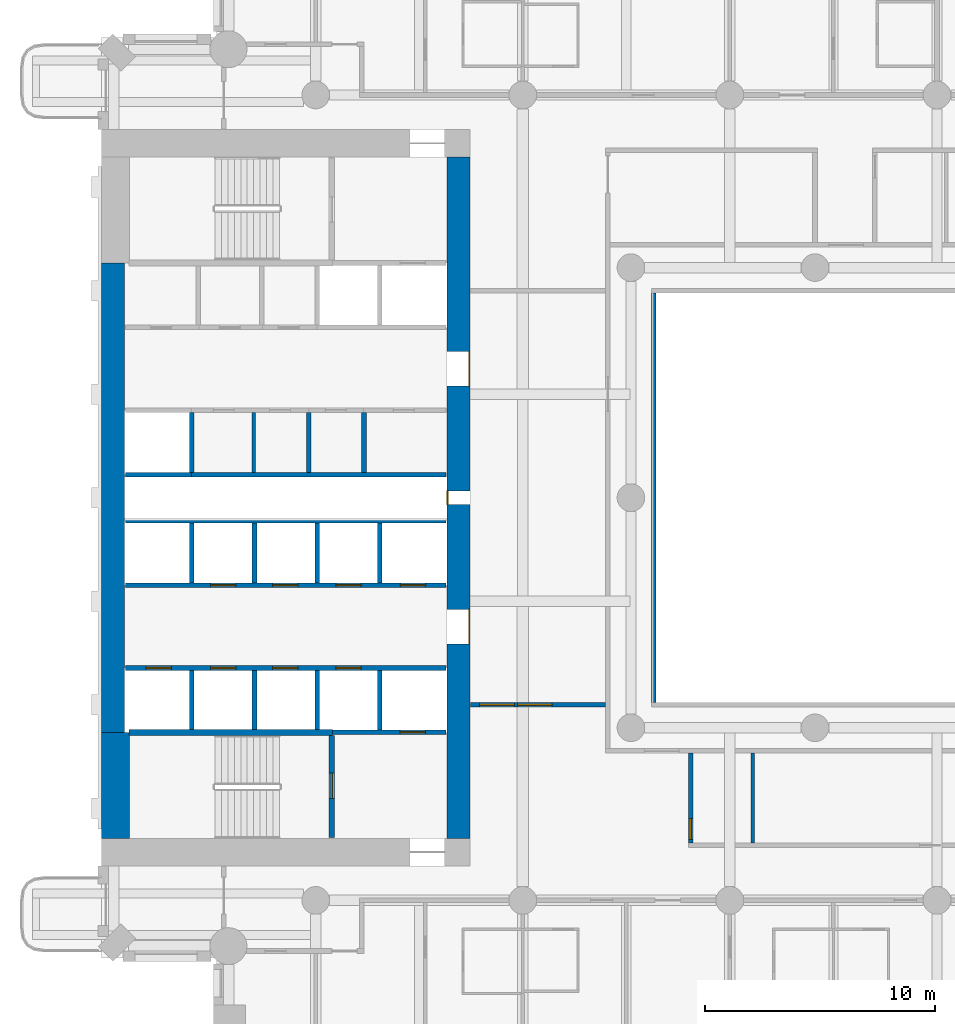
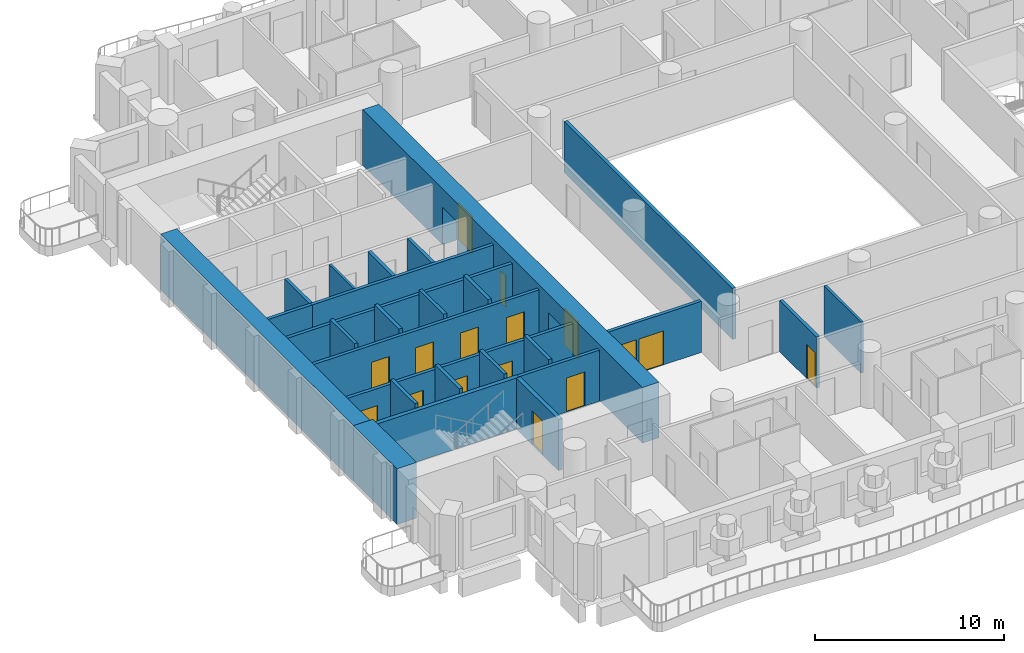
# One storey, part 4 of 20: 27 walls, 16 doors, 16 openings.
"""IFC4 building model written with IfcOpenShell, lengths in metres."""

from ifc_helpers import new_model, si_unit, direction, frame, frame_2d, origin, place, context, subcontext, project, spatial, rectangle, extrude, material, layer, layer_set, type_object, element, fill, save


model = new_model("IFC4")

# Units and contexts
model_context = context("Model", 3, precision=1e-05, world=origin(), true_north=direction((0.0, 1.0)))
body_context = subcontext(model_context, "Body", "Model", "MODEL_VIEW")
ifc_project = project(units=[si_unit("LENGTHUNIT", "METRE"), si_unit("AREAUNIT", "SQUARE_METRE"), si_unit("VOLUMEUNIT", "CUBIC_METRE"), si_unit("PLANEANGLEUNIT", "RADIAN"), si_unit("MASSUNIT", "GRAM", prefix="KILO")], contexts=[model_context])

# Site, building, storey
site_placement = place(None, origin())
site = spatial("IfcSite", under=ifc_project, at=site_placement, CompositionType="ELEMENT")
building_placement = place(site_placement, origin())
building = spatial("IfcBuilding", under=site, at=building_placement, Name="Cypress Arch Tower", CompositionType="ELEMENT")
storey_placement = place(building_placement, frame((0.0, 0.0, 80.699951171875)))
storey = spatial("IfcBuildingStorey", under=building, at=storey_placement, Name="L14", CompositionType="ELEMENT", Elevation=80.699951171875)

# Wall, openings, doors
ifc_material_1 = material(Name="Concrete C80/95", Category="concrete")
ifc_layer_1 = layer(ifc_material_1, 1.0)
ifc_layer_set_1 = layer_set([ifc_layer_1], Name="Core wall CW1000 C80/95")
wall_type_1 = type_object("IfcWallType", Name="Core wall CW1000 C80/95", PredefinedType="SHEAR", material=ifc_layer_set_1)
wall_1_placement = place(storey_placement, frame((-14.5, -14.800048828125, 0.0), z_axis=(0.0, 0.0, 1.0), x_axis=(0.0, 1.0, 0.0)))
wall_1 = element("IfcWall", 1, at=wall_1_placement, inside=storey, type_object=wall_type_1, Name="Core wall", PredefinedType="SHEAR", context=body_context, shape_type="SweptSolid", body=[
    extrude(rectangle(XDim=29.60009765625, YDim=1.0, at=frame_2d((14.800048828125, 0.0))), origin(), (0.0, 0.0, 1.0), 3.60009765625),
])
opening_1_placement = place(wall_1_placement, frame((8.449951171875, 0.0, 0.0)))
opening_1 = element("IfcOpeningElement", 2, at=opening_1_placement, cuts=wall_1, Name="Opening D07", PredefinedType="OPENING", context=body_context, shape_type="SweptSolid", body=[
    extrude(rectangle(XDim=1.5, YDim=2.39990234375, at=frame_2d((0.75, 1.199951171875))), frame((0.0, 0.510009765625, 0.0), z_axis=(0.0, -1.0, 0.0), x_axis=(1.0, 0.0, 0.0)), (0.0, 0.0, 1.0), 1.02001953125),
])
opening_2_placement = place(wall_1_placement, frame((19.64990234375, 0.0, 0.0)))
opening_2 = element("IfcOpeningElement", 3, at=opening_2_placement, cuts=wall_1, Name="Opening D07", PredefinedType="OPENING", context=body_context, shape_type="SweptSolid", body=[
    extrude(rectangle(XDim=1.5, YDim=2.39990234375, at=frame_2d((0.75, 1.199951171875))), frame((0.0, 0.510009765625, 0.0), z_axis=(0.0, -1.0, 0.0), x_axis=(1.0, 0.0, 0.0)), (0.0, 0.0, 1.0), 1.02001953125),
])
opening_3_placement = place(wall_1_placement, frame((14.5, 0.0, 0.0)))
opening_3 = element("IfcOpeningElement", 4, at=opening_3_placement, cuts=wall_1, Name="Opening D08", PredefinedType="OPENING", context=body_context, shape_type="SweptSolid", body=[
    extrude(rectangle(XDim=0.60009765625, YDim=2.0, at=frame_2d((0.300048828125, 1.0))), frame((0.0, 0.510009765625, 0.0), z_axis=(0.0, -1.0, 0.0), x_axis=(1.0, 0.0, 0.0)), (0.0, 0.0, 1.0), 1.02001953125),
])
ifc_material_2 = material(Name="Steel framed glazed door, fire resisting", Category="steel")
door_type_1 = type_object("IfcDoorType", Name="Lobby door D07 1500x2400", OperationType="DOUBLE_DOOR_SINGLE_SWING", PredefinedType="DOOR", material=ifc_material_2)
door_1_placement = place(opening_1_placement, origin())
door_1 = element("IfcDoor", 5, at=door_1_placement, inside=storey, type_object=door_type_1, Name="Lobby door", OperationType="DOUBLE_DOOR_SINGLE_SWING", OverallHeight=2.39990234375, OverallWidth=1.5, PredefinedType="DOOR", context=body_context, shape_type="SweptSolid", body=[
    extrude(rectangle(XDim=1.5, YDim=2.39990234375, at=frame_2d((0.75, 1.199951171875))), frame((0.0, -0.44482421875, 0.0), z_axis=(0.0, -1.0, 0.0), x_axis=(1.0, 0.0, 0.0)), (0.0, 0.0, 1.0), 0.050048828125),
])
fill(opening_1, door_1)
door_2_placement = place(opening_2_placement, origin())
door_2 = element("IfcDoor", 6, at=door_2_placement, inside=storey, type_object=door_type_1, Name="Lobby door", OperationType="DOUBLE_DOOR_SINGLE_SWING", OverallHeight=2.39990234375, OverallWidth=1.5, PredefinedType="DOOR", context=body_context, shape_type="SweptSolid", body=[
    extrude(rectangle(XDim=1.5, YDim=2.39990234375, at=frame_2d((0.75, 1.199951171875))), frame((0.0, -0.44482421875, 0.0), z_axis=(0.0, -1.0, 0.0), x_axis=(1.0, 0.0, 0.0)), (0.0, 0.0, 1.0), 0.050048828125),
])
fill(opening_2, door_2)
ifc_material_3 = material(Name="Steel access door, fire resisting", Category="steel")
door_type_2 = type_object("IfcDoorType", Name="Riser access door D08 600x2000", OperationType="SINGLE_SWING_LEFT", PredefinedType="DOOR", material=ifc_material_3)
door_3_placement = place(opening_3_placement, origin())
door_3 = element("IfcDoor", 7, at=door_3_placement, inside=storey, type_object=door_type_2, Name="Riser access door", OperationType="SINGLE_SWING_RIGHT", OverallHeight=2.0, OverallWidth=0.60009765625, PredefinedType="DOOR", context=body_context, shape_type="SweptSolid", body=[
    extrude(rectangle(XDim=0.60009765625, YDim=2.0, at=frame_2d((0.300048828125, 1.0))), frame((0.0, 0.4951171875, 0.0), z_axis=(0.0, -1.0, 0.0), x_axis=(1.0, 0.0, 0.0)), (0.0, 0.0, 1.0), 0.050048828125),
])
fill(opening_3, door_3)

# Walls
wall_2_placement = place(storey_placement, frame((-29.5, -10.199951171875, 0.0), z_axis=(0.0, 0.0, 1.0), x_axis=(0.0, 1.0, 0.0)))
element("IfcWall", 8, at=wall_2_placement, inside=storey, type_object=wall_type_1, Name="Core wall", PredefinedType="SHEAR", context=body_context, shape_type="SweptSolid", body=[
    extrude(rectangle(XDim=20.39990234375, YDim=1.0, at=frame_2d((10.199951171875, 0.0))), origin(), (0.0, 0.0, 1.0), 3.60009765625),
])
ifc_material_4 = material(Name="Concrete C80/95", Category="concrete")
ifc_layer_2 = layer(ifc_material_4, 1.199951171875)
ifc_layer_set_2 = layer_set([ifc_layer_2], Name="Core wall CW1200 C80/95")
wall_type_2 = type_object("IfcWallType", Name="Core wall CW1200 C80/95", PredefinedType="SHEAR", material=ifc_layer_set_2)
wall_3_placement = place(storey_placement, frame((-29.39990234375, -14.800048828125, 0.0), z_axis=(0.0, 0.0, 1.0), x_axis=(0.0, 1.0, 0.0)))
element("IfcWall", 9, at=wall_3_placement, inside=storey, type_object=wall_type_2, Name="Core wall", PredefinedType="SHEAR", context=body_context, shape_type="SweptSolid", body=[
    extrude(rectangle(XDim=4.60009765625, YDim=1.199951171875, at=frame_2d((2.300048828125, 0.0))), origin(), (0.0, 0.0, 1.0), 3.60009765625),
])

# Wall, openings, doors
ifc_material_5 = material(Name="Concrete blockwork, plastered, rated", Category="masonry")
ifc_layer_3 = layer(ifc_material_5, 0.199951171875)
ifc_layer_set_3 = layer_set([ifc_layer_3], Name="Corridor wall FW200")
wall_type_3 = type_object("IfcWallType", Name="Corridor wall FW200", PredefinedType="PARTITIONING", material=ifc_layer_set_3)
wall_4_placement = place(storey_placement, frame((-13.969970703125, -9.0, 0.0), z_axis=(0.0, 0.0, 1.0), x_axis=(1.0, 0.0, 0.0)))
wall_4 = element("IfcWall", 10, at=wall_4_placement, inside=storey, type_object=wall_type_3, Name="Corridor wall", PredefinedType="PARTITIONING", context=body_context, shape_type="SweptSolid", body=[
    extrude(rectangle(XDim=5.869873046875, YDim=0.199951171875, at=frame_2d((2.93505859375, 0.0))), origin(), (0.0, 0.0, 1.0), 3.300048828125),
])
opening_4_placement = place(wall_4_placement, frame((0.39990234375, 0.0, 0.0)))
opening_4 = element("IfcOpeningElement", 11, at=opening_4_placement, cuts=wall_4, Name="Opening D04", PredefinedType="OPENING", context=body_context, shape_type="SweptSolid", body=[
    extrude(rectangle(XDim=1.5, YDim=2.199951171875, at=frame_2d((0.75, 1.10009765625))), frame((0.0, 0.10986328125, 0.0), z_axis=(0.0, -1.0, 0.0), x_axis=(1.0, 0.0, 0.0)), (0.0, 0.0, 1.0), 0.219970703125),
])
opening_5_placement = place(wall_4_placement, frame((2.050048828125, 0.0, 0.0)))
opening_5 = element("IfcOpeningElement", 12, at=opening_5_placement, cuts=wall_4, Name="Opening D04", PredefinedType="OPENING", context=body_context, shape_type="SweptSolid", body=[
    extrude(rectangle(XDim=1.5, YDim=2.199951171875, at=frame_2d((0.75, 1.10009765625))), frame((0.0, 0.10986328125, 0.0), z_axis=(0.0, -1.0, 0.0), x_axis=(1.0, 0.0, 0.0)), (0.0, 0.0, 1.0), 0.219970703125),
])
ifc_material_6 = material(Name="Timber double door", Category="wood")
door_type_3 = type_object("IfcDoorType", Name="Double door D04 1500x2200", OperationType="DOUBLE_DOOR_SINGLE_SWING", PredefinedType="DOOR", material=ifc_material_6)
door_4_placement = place(opening_4_placement, origin())
door_4 = element("IfcDoor", 13, at=door_4_placement, inside=storey, type_object=door_type_3, Name="Double door", OperationType="DOUBLE_DOOR_SINGLE_SWING", OverallHeight=2.199951171875, OverallWidth=1.5, PredefinedType="DOOR", context=body_context, shape_type="SweptSolid", body=[
    extrude(rectangle(XDim=1.5, YDim=2.199951171875, at=frame_2d((0.75, 1.10009765625))), frame((0.0, 0.02490234375, 0.0), z_axis=(0.0, -1.0, 0.0), x_axis=(1.0, 0.0, 0.0)), (0.0, 0.0, 1.0), 0.050048828125),
])
fill(opening_4, door_4)
door_5_placement = place(opening_5_placement, origin())
door_5 = element("IfcDoor", 14, at=door_5_placement, inside=storey, type_object=door_type_3, Name="Double door", OperationType="DOUBLE_DOOR_SINGLE_SWING", OverallHeight=2.199951171875, OverallWidth=1.5, PredefinedType="DOOR", context=body_context, shape_type="SweptSolid", body=[
    extrude(rectangle(XDim=1.5, YDim=2.199951171875, at=frame_2d((0.75, 1.10009765625))), frame((0.0, 0.02490234375, 0.0), z_axis=(0.0, -1.0, 0.0), x_axis=(1.0, 0.0, 0.0)), (0.0, 0.0, 1.0), 0.050048828125),
])
fill(opening_5, door_5)

# Wall
wall_5_placement = place(storey_placement, frame((-6.0, -8.89990234375, 0.0), z_axis=(0.0, 0.0, 1.0), x_axis=(0.0, 1.0, 0.0)))
element("IfcWall", 15, at=wall_5_placement, inside=storey, type_object=wall_type_3, Name="Corridor wall", PredefinedType="PARTITIONING", context=body_context, shape_type="SweptSolid", body=[
    extrude(rectangle(XDim=17.7998046875, YDim=0.199951171875, at=frame_2d((8.89990234375, 0.0))), origin(), (0.0, 0.0, 1.0), 3.300048828125),
])

# Wall, opening, door
wall_6_placement = place(storey_placement, frame((-4.39990234375, -15.0, 0.0), z_axis=(0.0, 0.0, 1.0), x_axis=(0.0, 1.0, 0.0)))
wall_6 = element("IfcWall", 16, at=wall_6_placement, inside=storey, type_object=wall_type_3, Name="Corridor wall", PredefinedType="PARTITIONING", context=body_context, shape_type="SweptSolid", body=[
    extrude(rectangle(XDim=3.89990234375, YDim=0.199951171875, at=frame_2d((1.949951171875, 0.0))), origin(), (0.0, 0.0, 1.0), 3.300048828125),
])
opening_6_placement = place(wall_6_placement, frame((0.14990234375, 0.0, 0.0)))
opening_6 = element("IfcOpeningElement", 17, at=opening_6_placement, cuts=wall_6, Name="Opening D05", PredefinedType="OPENING", context=body_context, shape_type="SweptSolid", body=[
    extrude(rectangle(XDim=0.89990234375, YDim=2.199951171875, at=frame_2d((0.449951171875, 1.10009765625))), frame((0.0, 0.10986328125, 0.0), z_axis=(0.0, -1.0, 0.0), x_axis=(1.0, 0.0, 0.0)), (0.0, 0.0, 1.0), 0.219970703125),
])
ifc_material_7 = material(Name="Timber flush door", Category="wood")
door_type_4 = type_object("IfcDoorType", Name="Service door D05 900x2200", OperationType="SINGLE_SWING_LEFT", PredefinedType="DOOR", material=ifc_material_7)
door_6_placement = place(opening_6_placement, origin())
door_6 = element("IfcDoor", 18, at=door_6_placement, inside=storey, type_object=door_type_4, Name="Service door", OperationType="SINGLE_SWING_RIGHT", OverallHeight=2.199951171875, OverallWidth=0.89990234375, PredefinedType="DOOR", context=body_context, shape_type="SweptSolid", body=[
    extrude(rectangle(XDim=0.89990234375, YDim=2.199951171875, at=frame_2d((0.449951171875, 1.10009765625))), frame((0.0, 0.02490234375, 0.0), z_axis=(0.0, -1.0, 0.0), x_axis=(1.0, 0.0, 0.0)), (0.0, 0.0, 1.0), 0.050048828125),
])
fill(opening_6, door_6)

# Walls
ifc_material_8 = material(Name="Blockwork, plastered both sides", Category="masonry")
ifc_layer_4 = layer(ifc_material_8, 0.14990234375)
ifc_layer_set_4 = layer_set([ifc_layer_4], Name="Partition PW150")
wall_type_4 = type_object("IfcWallType", Name="Partition PW150", PredefinedType="PARTITIONING", material=ifc_layer_set_4)
wall_7_placement = place(storey_placement, frame((-23.39990234375, 1.10009765625, 0.0), z_axis=(0.0, 0.0, 1.0), x_axis=(0.0, 1.0, 0.0)))
element("IfcWall", 19, at=wall_7_placement, inside=storey, type_object=wall_type_4, Name="Partition", PredefinedType="PARTITIONING", context=body_context, shape_type="SweptSolid", body=[
    extrude(rectangle(XDim=2.599853515625, YDim=0.14990234375, at=frame_2d((1.2998046875, 0.0))), origin(), (0.0, 0.0, 1.0), 3.300048828125),
])
wall_8_placement = place(storey_placement, frame((-1.699951171875, -15.0, 0.0), z_axis=(0.0, 0.0, 1.0), x_axis=(0.0, 1.0, 0.0)))
element("IfcWall", 20, at=wall_8_placement, inside=storey, type_object=wall_type_4, Name="Partition", PredefinedType="PARTITIONING", context=body_context, shape_type="SweptSolid", body=[
    extrude(rectangle(XDim=3.89990234375, YDim=0.14990234375, at=frame_2d((1.949951171875, 0.0))), origin(), (0.0, 0.0, 1.0), 3.300048828125),
])
ifc_material_9 = material(Name="Reinforced blockwork, plastered, rated", Category="masonry")
ifc_layer_5 = layer(ifc_material_9, 0.199951171875)
ifc_layer_set_5 = layer_set([ifc_layer_5], Name="Plant and riser wall PL200")
wall_type_5 = type_object("IfcWallType", Name="Plant and riser wall PL200", PredefinedType="PARTITIONING", material=ifc_layer_set_5)
wall_9_placement = place(storey_placement, frame((-26.10009765625, 1.0, 0.0), z_axis=(0.0, 0.0, 1.0), x_axis=(1.0, 0.0, 0.0)))
element("IfcWall", 21, at=wall_9_placement, inside=storey, type_object=wall_type_5, Name="Plant and riser wall", PredefinedType="PARTITIONING", context=body_context, shape_type="SweptSolid", body=[
    extrude(rectangle(XDim=11.070068359375, YDim=0.199951171875, at=frame_2d((5.53515625, 0.0))), origin(), (0.0, 0.0, 1.0), 3.300048828125),
])
for number, where, z_axis, x_axis, name in (
    (22, (-21.0, 1.10009765625, 0.0), (0.0, 0.0, 1.0), (0.0, 1.0, 0.0), "Plant and riser wall"),
    (23, (-18.60009765625, 1.10009765625, 0.0), (0.0, 0.0, 1.0), (0.0, 1.0, 0.0), "Plant and riser wall"),
):
    element("IfcWall", number, at=place(storey_placement, frame(where, z_axis=z_axis, x_axis=x_axis)), inside=storey, type_object=wall_type_5, Name=name, PredefinedType="PARTITIONING", context=body_context, shape_type="SweptSolid", body=[
        extrude(rectangle(XDim=2.599853515625, YDim=0.199951171875, at=frame_2d((1.2998046875, 0.0))), origin(), (0.0, 0.0, 1.0), 3.300048828125),
    ])

# Wall, openings, doors
ifc_material_10 = material(Name="Concrete C50/60", Category="concrete")
ifc_layer_6 = layer(ifc_material_10, 0.199951171875)
ifc_layer_set_6 = layer_set([ifc_layer_6], Name="Shaft wall SH200")
wall_type_6 = type_object("IfcWallType", Name="Shaft wall SH200", PredefinedType="SHEAR", material=ifc_layer_set_6)
wall_10_placement = place(storey_placement, frame((-28.969970703125, -7.39990234375, 0.0), z_axis=(0.0, 0.0, 1.0), x_axis=(1.0, 0.0, 0.0)))
wall_10 = element("IfcWall", 24, at=wall_10_placement, inside=storey, type_object=wall_type_6, Name="Shaft wall", PredefinedType="SHEAR", context=body_context, shape_type="SweptSolid", body=[
    extrude(rectangle(XDim=13.93994140625, YDim=0.199951171875, at=frame_2d((6.969970703125, 0.0))), origin(), (0.0, 0.0, 1.0), 3.300048828125),
])
opening_7_placement = place(wall_10_placement, frame((0.89990234375, 0.0, 0.0)))
opening_7 = element("IfcOpeningElement", 25, at=opening_7_placement, cuts=wall_10, Name="Opening LD-LR1", PredefinedType="OPENING", context=body_context, shape_type="SweptSolid", body=[
    extrude(rectangle(XDim=1.10009765625, YDim=2.199951171875, at=frame_2d((0.550048828125, 1.10009765625))), frame((0.0, 0.10986328125, 0.0), z_axis=(0.0, -1.0, 0.0), x_axis=(1.0, 0.0, 0.0)), (0.0, 0.0, 1.0), 0.219970703125),
])
opening_8_placement = place(wall_10_placement, frame((3.699951171875, 0.0, 0.0)))
opening_8 = element("IfcOpeningElement", 26, at=opening_8_placement, cuts=wall_10, Name="Opening LD-LR2", PredefinedType="OPENING", context=body_context, shape_type="SweptSolid", body=[
    extrude(rectangle(XDim=1.10009765625, YDim=2.199951171875, at=frame_2d((0.550048828125, 1.10009765625))), frame((0.0, 0.10986328125, 0.0), z_axis=(0.0, -1.0, 0.0), x_axis=(1.0, 0.0, 0.0)), (0.0, 0.0, 1.0), 0.219970703125),
])
opening_9_placement = place(wall_10_placement, frame((6.39990234375, 0.0, 0.0)))
opening_9 = element("IfcOpeningElement", 27, at=opening_9_placement, cuts=wall_10, Name="Opening LD-LR3", PredefinedType="OPENING", context=body_context, shape_type="SweptSolid", body=[
    extrude(rectangle(XDim=1.10009765625, YDim=2.199951171875, at=frame_2d((0.550048828125, 1.10009765625))), frame((0.0, 0.10986328125, 0.0), z_axis=(0.0, -1.0, 0.0), x_axis=(1.0, 0.0, 0.0)), (0.0, 0.0, 1.0), 0.219970703125),
])
opening_10_placement = place(wall_10_placement, frame((9.14990234375, 0.0, 0.0)))
opening_10 = element("IfcOpeningElement", 28, at=opening_10_placement, cuts=wall_10, Name="Opening LD-LR4", PredefinedType="OPENING", context=body_context, shape_type="SweptSolid", body=[
    extrude(rectangle(XDim=1.10009765625, YDim=2.199951171875, at=frame_2d((0.550048828125, 1.10009765625))), frame((0.0, 0.10986328125, 0.0), z_axis=(0.0, -1.0, 0.0), x_axis=(1.0, 0.0, 0.0)), (0.0, 0.0, 1.0), 0.219970703125),
])
ifc_material_11 = material(Name="Stainless steel centre-opening landing door, rated", Category="steel")
door_type_5 = type_object("IfcDoorType", Name="Lift landing door LD 1100x2200", OperationType="DOUBLE_DOOR_SLIDING", PredefinedType="DOOR", material=ifc_material_11)
door_7_placement = place(opening_7_placement, origin())
door_7 = element("IfcDoor", 29, at=door_7_placement, inside=storey, type_object=door_type_5, Name="Lift landing doors LR1", OperationType="DOUBLE_DOOR_SLIDING", OverallHeight=2.199951171875, OverallWidth=1.10009765625, PredefinedType="DOOR", context=body_context, shape_type="SweptSolid", body=[
    extrude(rectangle(XDim=1.10009765625, YDim=2.199951171875, at=frame_2d((0.550048828125, 1.10009765625))), frame((0.0, 0.02490234375, 0.0), z_axis=(0.0, -1.0, 0.0), x_axis=(1.0, 0.0, 0.0)), (0.0, 0.0, 1.0), 0.050048828125),
])
fill(opening_7, door_7)
door_8_placement = place(opening_8_placement, origin())
door_8 = element("IfcDoor", 30, at=door_8_placement, inside=storey, type_object=door_type_5, Name="Lift landing doors LR2", OperationType="DOUBLE_DOOR_SLIDING", OverallHeight=2.199951171875, OverallWidth=1.10009765625, PredefinedType="DOOR", context=body_context, shape_type="SweptSolid", body=[
    extrude(rectangle(XDim=1.10009765625, YDim=2.199951171875, at=frame_2d((0.550048828125, 1.10009765625))), frame((0.0, 0.02490234375, 0.0), z_axis=(0.0, -1.0, 0.0), x_axis=(1.0, 0.0, 0.0)), (0.0, 0.0, 1.0), 0.050048828125),
])
fill(opening_8, door_8)
door_9_placement = place(opening_9_placement, origin())
door_9 = element("IfcDoor", 31, at=door_9_placement, inside=storey, type_object=door_type_5, Name="Lift landing doors LR3", OperationType="DOUBLE_DOOR_SLIDING", OverallHeight=2.199951171875, OverallWidth=1.10009765625, PredefinedType="DOOR", context=body_context, shape_type="SweptSolid", body=[
    extrude(rectangle(XDim=1.10009765625, YDim=2.199951171875, at=frame_2d((0.550048828125, 1.10009765625))), frame((0.0, 0.02490234375, 0.0), z_axis=(0.0, -1.0, 0.0), x_axis=(1.0, 0.0, 0.0)), (0.0, 0.0, 1.0), 0.050048828125),
])
fill(opening_9, door_9)
door_10_placement = place(opening_10_placement, origin())
door_10 = element("IfcDoor", 32, at=door_10_placement, inside=storey, type_object=door_type_5, Name="Lift landing doors LR4", OperationType="DOUBLE_DOOR_SLIDING", OverallHeight=2.199951171875, OverallWidth=1.10009765625, PredefinedType="DOOR", context=body_context, shape_type="SweptSolid", body=[
    extrude(rectangle(XDim=1.10009765625, YDim=2.199951171875, at=frame_2d((0.550048828125, 1.10009765625))), frame((0.0, 0.02490234375, 0.0), z_axis=(0.0, -1.0, 0.0), x_axis=(1.0, 0.0, 0.0)), (0.0, 0.0, 1.0), 0.050048828125),
])
fill(opening_10, door_10)

wall_11_placement = place(storey_placement, frame((-28.969970703125, -3.800048828125, 0.0), z_axis=(0.0, 0.0, 1.0), x_axis=(1.0, 0.0, 0.0)))
wall_11 = element("IfcWall", 33, at=wall_11_placement, inside=storey, type_object=wall_type_6, Name="Shaft wall", PredefinedType="SHEAR", context=body_context, shape_type="SweptSolid", body=[
    extrude(rectangle(XDim=13.93994140625, YDim=0.199951171875, at=frame_2d((6.969970703125, 0.0))), origin(), (0.0, 0.0, 1.0), 3.300048828125),
])
opening_11_placement = place(wall_11_placement, frame((3.699951171875, 0.0, 0.0)))
opening_11 = element("IfcOpeningElement", 34, at=opening_11_placement, cuts=wall_11, Name="Opening LD-LR5", PredefinedType="OPENING", context=body_context, shape_type="SweptSolid", body=[
    extrude(rectangle(XDim=1.10009765625, YDim=2.199951171875, at=frame_2d((0.550048828125, 1.10009765625))), frame((0.0, 0.10986328125, 0.0), z_axis=(0.0, -1.0, 0.0), x_axis=(1.0, 0.0, 0.0)), (0.0, 0.0, 1.0), 0.219970703125),
])
opening_12_placement = place(wall_11_placement, frame((6.39990234375, 0.0, 0.0)))
opening_12 = element("IfcOpeningElement", 35, at=opening_12_placement, cuts=wall_11, Name="Opening LD-LR6", PredefinedType="OPENING", context=body_context, shape_type="SweptSolid", body=[
    extrude(rectangle(XDim=1.10009765625, YDim=2.199951171875, at=frame_2d((0.550048828125, 1.10009765625))), frame((0.0, 0.10986328125, 0.0), z_axis=(0.0, -1.0, 0.0), x_axis=(1.0, 0.0, 0.0)), (0.0, 0.0, 1.0), 0.219970703125),
])
opening_13_placement = place(wall_11_placement, frame((9.14990234375, 0.0, 0.0)))
opening_13 = element("IfcOpeningElement", 36, at=opening_13_placement, cuts=wall_11, Name="Opening LD-LR7", PredefinedType="OPENING", context=body_context, shape_type="SweptSolid", body=[
    extrude(rectangle(XDim=1.10009765625, YDim=2.199951171875, at=frame_2d((0.550048828125, 1.10009765625))), frame((0.0, 0.10986328125, 0.0), z_axis=(0.0, -1.0, 0.0), x_axis=(1.0, 0.0, 0.0)), (0.0, 0.0, 1.0), 0.219970703125),
])
opening_14_placement = place(wall_11_placement, frame((11.949951171875, 0.0, 0.0)))
opening_14 = element("IfcOpeningElement", 37, at=opening_14_placement, cuts=wall_11, Name="Opening LD-LR8", PredefinedType="OPENING", context=body_context, shape_type="SweptSolid", body=[
    extrude(rectangle(XDim=1.10009765625, YDim=2.199951171875, at=frame_2d((0.550048828125, 1.10009765625))), frame((0.0, 0.10986328125, 0.0), z_axis=(0.0, -1.0, 0.0), x_axis=(1.0, 0.0, 0.0)), (0.0, 0.0, 1.0), 0.219970703125),
])
door_11_placement = place(opening_11_placement, origin())
door_11 = element("IfcDoor", 38, at=door_11_placement, inside=storey, type_object=door_type_5, Name="Lift landing doors LR5", OperationType="DOUBLE_DOOR_SLIDING", OverallHeight=2.199951171875, OverallWidth=1.10009765625, PredefinedType="DOOR", context=body_context, shape_type="SweptSolid", body=[
    extrude(rectangle(XDim=1.10009765625, YDim=2.199951171875, at=frame_2d((0.550048828125, 1.10009765625))), frame((0.0, 0.02490234375, 0.0), z_axis=(0.0, -1.0, 0.0), x_axis=(1.0, 0.0, 0.0)), (0.0, 0.0, 1.0), 0.050048828125),
])
fill(opening_11, door_11)
door_12_placement = place(opening_12_placement, origin())
door_12 = element("IfcDoor", 39, at=door_12_placement, inside=storey, type_object=door_type_5, Name="Lift landing doors LR6", OperationType="DOUBLE_DOOR_SLIDING", OverallHeight=2.199951171875, OverallWidth=1.10009765625, PredefinedType="DOOR", context=body_context, shape_type="SweptSolid", body=[
    extrude(rectangle(XDim=1.10009765625, YDim=2.199951171875, at=frame_2d((0.550048828125, 1.10009765625))), frame((0.0, 0.02490234375, 0.0), z_axis=(0.0, -1.0, 0.0), x_axis=(1.0, 0.0, 0.0)), (0.0, 0.0, 1.0), 0.050048828125),
])
fill(opening_12, door_12)
door_13_placement = place(opening_13_placement, origin())
door_13 = element("IfcDoor", 40, at=door_13_placement, inside=storey, type_object=door_type_5, Name="Lift landing doors LR7", OperationType="DOUBLE_DOOR_SLIDING", OverallHeight=2.199951171875, OverallWidth=1.10009765625, PredefinedType="DOOR", context=body_context, shape_type="SweptSolid", body=[
    extrude(rectangle(XDim=1.10009765625, YDim=2.199951171875, at=frame_2d((0.550048828125, 1.10009765625))), frame((0.0, 0.02490234375, 0.0), z_axis=(0.0, -1.0, 0.0), x_axis=(1.0, 0.0, 0.0)), (0.0, 0.0, 1.0), 0.050048828125),
])
fill(opening_13, door_13)
door_14_placement = place(opening_14_placement, origin())
door_14 = element("IfcDoor", 41, at=door_14_placement, inside=storey, type_object=door_type_5, Name="Lift landing doors LR8", OperationType="DOUBLE_DOOR_SLIDING", OverallHeight=2.199951171875, OverallWidth=1.10009765625, PredefinedType="DOOR", context=body_context, shape_type="SweptSolid", body=[
    extrude(rectangle(XDim=1.10009765625, YDim=2.199951171875, at=frame_2d((0.550048828125, 1.10009765625))), frame((0.0, 0.02490234375, 0.0), z_axis=(0.0, -1.0, 0.0), x_axis=(1.0, 0.0, 0.0)), (0.0, 0.0, 1.0), 0.050048828125),
])
fill(opening_14, door_14)

# Walls
wall_12_placement = place(storey_placement, frame((-28.969970703125, -1.0, 0.0), z_axis=(0.0, 0.0, 1.0), x_axis=(1.0, 0.0, 0.0)))
element("IfcWall", 42, at=wall_12_placement, inside=storey, type_object=wall_type_6, Name="Shaft wall", PredefinedType="SHEAR", context=body_context, shape_type="SweptSolid", body=[
    extrude(rectangle(XDim=13.93994140625, YDim=0.199951171875, at=frame_2d((6.969970703125, 0.0))), origin(), (0.0, 0.0, 1.0), 3.300048828125),
])
wall_13_placement = place(storey_placement, frame((-28.969970703125, 1.0, 0.0), z_axis=(0.0, 0.0, 1.0), x_axis=(1.0, 0.0, 0.0)))
element("IfcWall", 43, at=wall_13_placement, inside=storey, type_object=wall_type_6, Name="Shaft wall", PredefinedType="SHEAR", context=body_context, shape_type="SweptSolid", body=[
    extrude(rectangle(XDim=2.869873046875, YDim=0.199951171875, at=frame_2d((1.43505859375, 0.0))), origin(), (0.0, 0.0, 1.0), 3.300048828125),
])
wall_14_placement = place(storey_placement, frame((-26.080078125, -10.074951171875, 0.0), z_axis=(0.0, 0.0, 1.0), x_axis=(0.0, 1.0, 0.0)))
element("IfcWall", 44, at=wall_14_placement, inside=storey, type_object=wall_type_6, Name="Shaft wall", PredefinedType="SHEAR", context=body_context, shape_type="SweptSolid", body=[
    extrude(rectangle(XDim=2.574951171875, YDim=0.199951171875, at=frame_2d((1.28759765625, 0.0))), origin(), (0.0, 0.0, 1.0), 3.60009765625),
])
wall_15_placement = place(storey_placement, frame((-26.080078125, -3.699951171875, 0.0), z_axis=(0.0, 0.0, 1.0), x_axis=(0.0, 1.0, 0.0)))
element("IfcWall", 45, at=wall_15_placement, inside=storey, type_object=wall_type_6, Name="Shaft wall", PredefinedType="SHEAR", context=body_context, shape_type="SweptSolid", body=[
    extrude(rectangle(XDim=2.599853515625, YDim=0.199951171875, at=frame_2d((1.2998046875, 0.0))), origin(), (0.0, 0.0, 1.0), 3.60009765625),
])
wall_16_placement = place(storey_placement, frame((-26.080078125, 1.10009765625, 0.0), z_axis=(0.0, 0.0, 1.0), x_axis=(0.0, 1.0, 0.0)))
element("IfcWall", 46, at=wall_16_placement, inside=storey, type_object=wall_type_6, Name="Shaft wall", PredefinedType="SHEAR", context=body_context, shape_type="SweptSolid", body=[
    extrude(rectangle(XDim=2.599853515625, YDim=0.199951171875, at=frame_2d((1.2998046875, 0.0))), origin(), (0.0, 0.0, 1.0), 3.300048828125),
])
wall_17_placement = place(storey_placement, frame((-23.360107421875, -10.074951171875, 0.0), z_axis=(0.0, 0.0, 1.0), x_axis=(0.0, 1.0, 0.0)))
element("IfcWall", 47, at=wall_17_placement, inside=storey, type_object=wall_type_6, Name="Shaft wall", PredefinedType="SHEAR", context=body_context, shape_type="SweptSolid", body=[
    extrude(rectangle(XDim=2.574951171875, YDim=0.199951171875, at=frame_2d((1.28759765625, 0.0))), origin(), (0.0, 0.0, 1.0), 3.60009765625),
])
wall_18_placement = place(storey_placement, frame((-23.360107421875, -3.699951171875, 0.0), z_axis=(0.0, 0.0, 1.0), x_axis=(0.0, 1.0, 0.0)))
element("IfcWall", 48, at=wall_18_placement, inside=storey, type_object=wall_type_6, Name="Shaft wall", PredefinedType="SHEAR", context=body_context, shape_type="SweptSolid", body=[
    extrude(rectangle(XDim=2.599853515625, YDim=0.199951171875, at=frame_2d((1.2998046875, 0.0))), origin(), (0.0, 0.0, 1.0), 3.60009765625),
])
wall_19_placement = place(storey_placement, frame((-20.639892578125, -10.074951171875, 0.0), z_axis=(0.0, 0.0, 1.0), x_axis=(0.0, 1.0, 0.0)))
element("IfcWall", 49, at=wall_19_placement, inside=storey, type_object=wall_type_6, Name="Shaft wall", PredefinedType="SHEAR", context=body_context, shape_type="SweptSolid", body=[
    extrude(rectangle(XDim=2.574951171875, YDim=0.199951171875, at=frame_2d((1.28759765625, 0.0))), origin(), (0.0, 0.0, 1.0), 3.60009765625),
])
wall_20_placement = place(storey_placement, frame((-20.639892578125, -3.699951171875, 0.0), z_axis=(0.0, 0.0, 1.0), x_axis=(0.0, 1.0, 0.0)))
element("IfcWall", 50, at=wall_20_placement, inside=storey, type_object=wall_type_6, Name="Shaft wall", PredefinedType="SHEAR", context=body_context, shape_type="SweptSolid", body=[
    extrude(rectangle(XDim=2.599853515625, YDim=0.199951171875, at=frame_2d((1.2998046875, 0.0))), origin(), (0.0, 0.0, 1.0), 3.60009765625),
])

# Wall, opening, door
wall_21_placement = place(storey_placement, frame((-19.97998046875, -10.199951171875, 0.0), z_axis=(0.0, 0.0, 1.0), x_axis=(1.0, 0.0, 0.0)))
wall_21 = element("IfcWall", 51, at=wall_21_placement, inside=storey, type_object=wall_type_6, Name="Shaft wall", PredefinedType="SHEAR", context=body_context, shape_type="SweptSolid", body=[
    extrude(rectangle(XDim=4.949951171875, YDim=0.199951171875, at=frame_2d((2.47509765625, 0.0))), origin(), (0.0, 0.0, 1.0), 3.300048828125),
])
opening_15_placement = place(wall_21_placement, frame((2.949951171875, 0.0, 0.0)))
opening_15 = element("IfcOpeningElement", 52, at=opening_15_placement, cuts=wall_21, Name="Opening LD-FL1", PredefinedType="OPENING", context=body_context, shape_type="SweptSolid", body=[
    extrude(rectangle(XDim=1.10009765625, YDim=2.199951171875, at=frame_2d((0.550048828125, 1.10009765625))), frame((0.0, 0.10986328125, 0.0), z_axis=(0.0, -1.0, 0.0), x_axis=(1.0, 0.0, 0.0)), (0.0, 0.0, 1.0), 0.219970703125),
])
door_15_placement = place(opening_15_placement, origin())
door_15 = element("IfcDoor", 53, at=door_15_placement, inside=storey, type_object=door_type_5, Name="Lift landing doors FL1", OperationType="DOUBLE_DOOR_SLIDING", OverallHeight=2.199951171875, OverallWidth=1.10009765625, PredefinedType="DOOR", context=body_context, shape_type="SweptSolid", body=[
    extrude(rectangle(XDim=1.10009765625, YDim=2.199951171875, at=frame_2d((0.550048828125, 1.10009765625))), frame((0.0, 0.02490234375, 0.0), z_axis=(0.0, -1.0, 0.0), x_axis=(1.0, 0.0, 0.0)), (0.0, 0.0, 1.0), 0.050048828125),
])
fill(opening_15, door_15)

# Walls
wall_22_placement = place(storey_placement, frame((-17.919921875, -10.10009765625, 0.0), z_axis=(0.0, 0.0, 1.0), x_axis=(0.0, 1.0, 0.0)))
element("IfcWall", 54, at=wall_22_placement, inside=storey, type_object=wall_type_6, Name="Shaft wall", PredefinedType="SHEAR", context=body_context, shape_type="SweptSolid", body=[
    extrude(rectangle(XDim=2.60009765625, YDim=0.199951171875, at=frame_2d((1.300048828125, 0.0))), origin(), (0.0, 0.0, 1.0), 3.60009765625),
])
wall_23_placement = place(storey_placement, frame((-17.919921875, -3.699951171875, 0.0), z_axis=(0.0, 0.0, 1.0), x_axis=(0.0, 1.0, 0.0)))
element("IfcWall", 55, at=wall_23_placement, inside=storey, type_object=wall_type_6, Name="Shaft wall", PredefinedType="SHEAR", context=body_context, shape_type="SweptSolid", body=[
    extrude(rectangle(XDim=2.599853515625, YDim=0.199951171875, at=frame_2d((1.2998046875, 0.0))), origin(), (0.0, 0.0, 1.0), 3.60009765625),
])
ifc_material_12 = material(Name="Concrete C50/60", Category="concrete")
ifc_layer_7 = layer(ifc_material_12, 0.25)
ifc_layer_set_7 = layer_set([ifc_layer_7], Name="Stair enclosure wall SW250")
wall_type_7 = type_object("IfcWallType", Name="Stair enclosure wall SW250", PredefinedType="SHEAR", material=ifc_layer_set_7)
wall_24_placement = place(storey_placement, frame((-28.81005859375, -10.199951171875, 0.0), z_axis=(0.0, 0.0, 1.0), x_axis=(1.0, 0.0, 0.0)))
element("IfcWall", 56, at=wall_24_placement, inside=storey, type_object=wall_type_7, Name="Stair enclosure wall", PredefinedType="SHEAR", context=body_context, shape_type="SweptSolid", body=[
    extrude(rectangle(XDim=8.830078125, YDim=0.25, at=frame_2d((4.4150390625, 0.0))), origin(), (0.0, 0.0, 1.0), 3.300048828125),
])

# Wall, opening, door
wall_25_placement = place(storey_placement, frame((-20.0, -14.77001953125, 0.0), z_axis=(0.0, 0.0, 1.0), x_axis=(0.0, 1.0, 0.0)))
wall_25 = element("IfcWall", 57, at=wall_25_placement, inside=storey, type_object=wall_type_7, Name="Stair enclosure wall", PredefinedType="SHEAR", context=body_context, shape_type="SweptSolid", body=[
    extrude(rectangle(XDim=4.445068359375, YDim=0.25, at=frame_2d((2.22265625, 0.0))), origin(), (0.0, 0.0, 1.0), 3.300048828125),
])
opening_16_placement = place(wall_25_placement, frame((1.699951171875, 0.0, 0.0)))
opening_16 = element("IfcOpeningElement", 58, at=opening_16_placement, cuts=wall_25, Name="Opening D06", PredefinedType="OPENING", context=body_context, shape_type="SweptSolid", body=[
    extrude(rectangle(XDim=1.10009765625, YDim=2.199951171875, at=frame_2d((0.550048828125, 1.10009765625))), frame((0.0, 0.135009765625, 0.0), z_axis=(0.0, -1.0, 0.0), x_axis=(1.0, 0.0, 0.0)), (0.0, 0.0, 1.0), 0.27001953125),
])
ifc_material_13 = material(Name="Steel door, fire resisting, panic bar", Category="steel")
door_type_6 = type_object("IfcDoorType", Name="Stair door D06 1100x2200", OperationType="SINGLE_SWING_LEFT", PredefinedType="DOOR", material=ifc_material_13)
door_16_placement = place(opening_16_placement, origin())
door_16 = element("IfcDoor", 59, at=door_16_placement, inside=storey, type_object=door_type_6, Name="Stair door", OperationType="SINGLE_SWING_RIGHT", OverallHeight=2.199951171875, OverallWidth=1.10009765625, PredefinedType="DOOR", context=body_context, shape_type="SweptSolid", body=[
    extrude(rectangle(XDim=1.10009765625, YDim=2.199951171875, at=frame_2d((0.550048828125, 1.10009765625))), frame((0.0, 0.02490234375, 0.0), z_axis=(0.0, -1.0, 0.0), x_axis=(1.0, 0.0, 0.0)), (0.0, 0.0, 1.0), 0.050048828125),
])
fill(opening_16, door_16)

save(model, "model.ifc")
